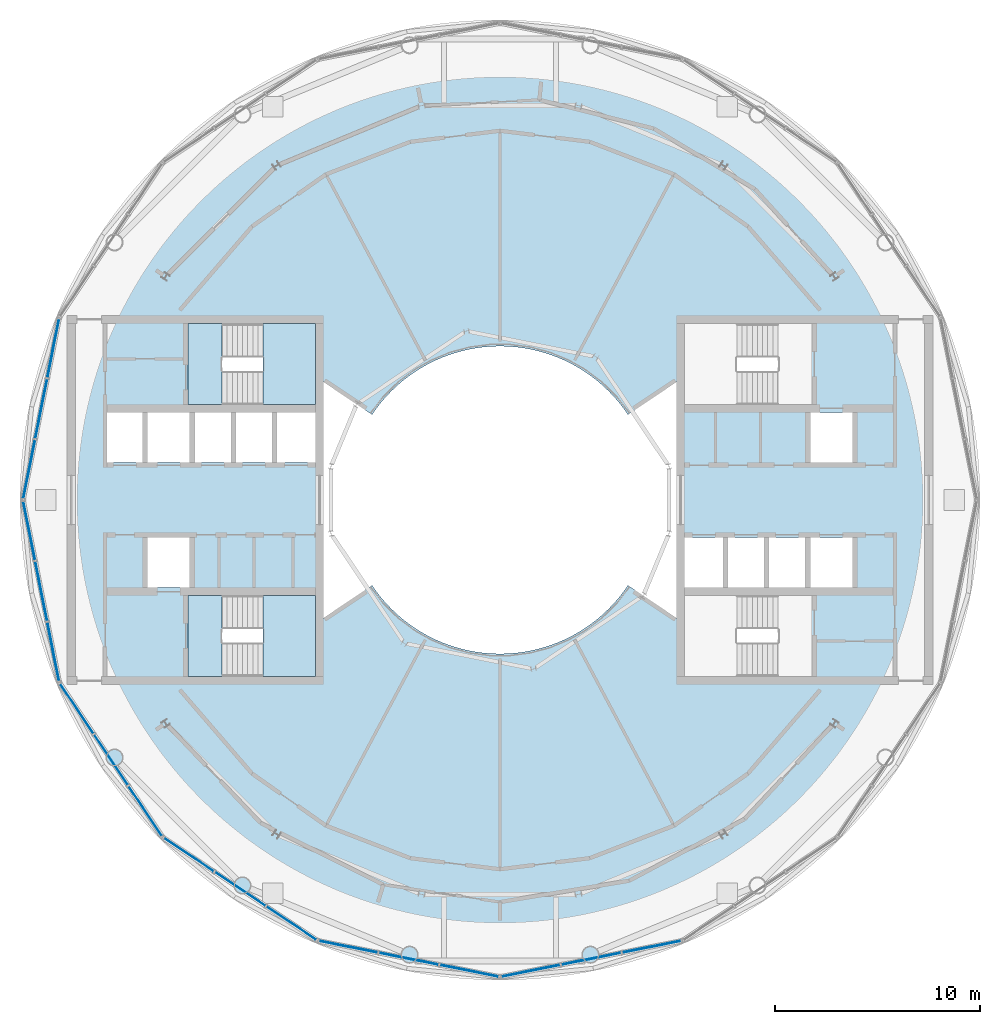
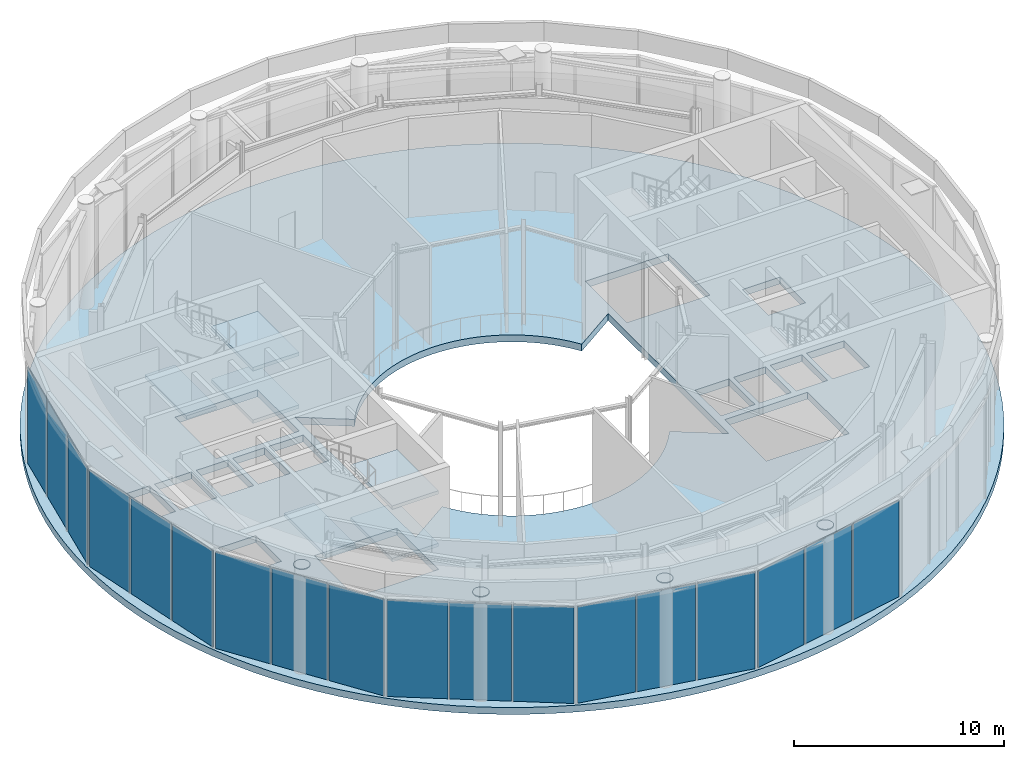
# One storey, part 9 of 20: 22 plates, 7 slabs, 8 elements without a shape of their own.
"""IFC4 building model written with IfcOpenShell, lengths in metres."""

from ifc_helpers import new_model, si_unit, direction, frame, origin, origin_2d, place, context, subcontext, project, spatial, polyline, rectangle, outline, extrude, material, layer, layer_set, type_object, element, aggregate, save


model = new_model("IFC4")

# Units and contexts
model_context = context("Model", 3, precision=1e-05, world=origin(), true_north=direction((0.0, 1.0)))
body_context = subcontext(model_context, "Body", "Model", "MODEL_VIEW")
ifc_project = project(units=[si_unit("LENGTHUNIT", "METRE"), si_unit("AREAUNIT", "SQUARE_METRE"), si_unit("VOLUMEUNIT", "CUBIC_METRE"), si_unit("PLANEANGLEUNIT", "RADIAN"), si_unit("MASSUNIT", "GRAM", prefix="KILO")], contexts=[model_context])

# Site, building, storey
site_placement = place(None, origin())
site = spatial("IfcSite", under=ifc_project, at=site_placement, CompositionType="ELEMENT")
building_placement = place(site_placement, origin())
building = spatial("IfcBuilding", under=site, at=building_placement, Name="Maasbend Ring Residences", CompositionType="ELEMENT")
storey_placement = place(building_placement, frame((0.0, 0.0, 255.39990234375)))
storey = spatial("IfcBuildingStorey", under=building, at=storey_placement, Name="L74", CompositionType="ELEMENT", Elevation=255.39990234375)

# Stair, slabs
ifc_material_1 = material(Name="Concrete C40/50", Category="concrete")
stair_type = type_object("IfcStairType", Name="CORE STAIR 36 RISERS", PredefinedType="HALF_TURN_STAIR", material=ifc_material_1)
stair_1_placement = place(storey_placement, origin())
stair_1 = element("IfcStair", 1, at=stair_1_placement, inside=storey, type_object=stair_type, Name="L74 Exit stair ST-W1", PredefinedType="HALF_TURN_STAIR")
ifc_material_2 = material(Name="Concrete C40/50", Category="concrete")
ifc_layer_1 = layer(ifc_material_2, 0.199951171875)
ifc_layer_set_1 = layer_set([ifc_layer_1], Name="Concrete C40/50")
slab_type_1 = type_object("IfcSlabType", Name="CORE STAIR LANDING 200", PredefinedType="LANDING", material=ifc_layer_set_1)
slab_1_placement = place(storey_placement, frame((0.0, 0.0, 1.3251953125)))
slab_1 = element("IfcSlab", 2, at=slab_1_placement, type_object=slab_type_1, Name="ST-W1 landing 1", PredefinedType="LANDING", context=body_context, shape_type="SweptSolid", body=[
    extrude(outline(polyline([(-11.550048828125, -8.60009765625), (-9.0, -8.60009765625), (-9.0, -4.64990234375), (-11.550048828125, -4.64990234375), (-11.550048828125, -8.60009765625)])), origin(), (0.0, 0.0, 1.0), 0.199951171875),
])
slab_2_placement = place(storey_placement, frame((0.0, 0.0, 2.85009765625)))
slab_2 = element("IfcSlab", 3, at=slab_2_placement, type_object=slab_type_1, Name="ST-W1 landing 2", PredefinedType="LANDING", context=body_context, shape_type="SweptSolid", body=[
    extrude(outline(polyline([(-15.199951171875, -8.60009765625), (-13.550048828125, -8.60009765625), (-13.550048828125, -4.64990234375), (-15.199951171875, -4.64990234375), (-15.199951171875, -8.60009765625)])), origin(), (0.0, 0.0, 1.0), 0.199951171875),
])
slab_3_placement = place(storey_placement, frame((0.0, 0.0, 4.375)))
slab_3 = element("IfcSlab", 4, at=slab_3_placement, type_object=slab_type_1, Name="ST-W1 landing 3", PredefinedType="LANDING", context=body_context, shape_type="SweptSolid", body=[
    extrude(outline(polyline([(-11.550048828125, -8.60009765625), (-9.0, -8.60009765625), (-9.0, -4.64990234375), (-11.550048828125, -4.64990234375), (-11.550048828125, -8.60009765625)])), origin(), (0.0, 0.0, 1.0), 0.2001953125),
])
aggregate(stair_1, [slab_1, slab_2, slab_3])

stair_2_placement = place(storey_placement, origin())
stair_2 = element("IfcStair", 5, at=stair_2_placement, inside=storey, type_object=stair_type, Name="L74 Exit stair ST-W2", PredefinedType="HALF_TURN_STAIR")
slab_4_placement = place(storey_placement, frame((0.0, 0.0, 1.3251953125)))
slab_4 = element("IfcSlab", 6, at=slab_4_placement, type_object=slab_type_1, Name="ST-W2 landing 1", PredefinedType="LANDING", context=body_context, shape_type="SweptSolid", body=[
    extrude(outline(polyline([(-11.550048828125, 4.64990234375), (-9.0, 4.64990234375), (-9.0, 8.60009765625), (-11.550048828125, 8.60009765625), (-11.550048828125, 4.64990234375)])), origin(), (0.0, 0.0, 1.0), 0.199951171875),
])
slab_5_placement = place(storey_placement, frame((0.0, 0.0, 2.85009765625)))
slab_5 = element("IfcSlab", 7, at=slab_5_placement, type_object=slab_type_1, Name="ST-W2 landing 2", PredefinedType="LANDING", context=body_context, shape_type="SweptSolid", body=[
    extrude(outline(polyline([(-15.199951171875, 4.64990234375), (-13.550048828125, 4.64990234375), (-13.550048828125, 8.60009765625), (-15.199951171875, 8.60009765625), (-15.199951171875, 4.64990234375)])), origin(), (0.0, 0.0, 1.0), 0.199951171875),
])
slab_6_placement = place(storey_placement, frame((0.0, 0.0, 4.375)))
slab_6 = element("IfcSlab", 8, at=slab_6_placement, type_object=slab_type_1, Name="ST-W2 landing 3", PredefinedType="LANDING", context=body_context, shape_type="SweptSolid", body=[
    extrude(outline(polyline([(-11.550048828125, 4.64990234375), (-9.0, 4.64990234375), (-9.0, 8.60009765625), (-11.550048828125, 8.60009765625), (-11.550048828125, 4.64990234375)])), origin(), (0.0, 0.0, 1.0), 0.2001953125),
])
aggregate(stair_2, [slab_4, slab_5, slab_6])

# Curtain wall, plates
ifc_material_3 = material(Name="Aluminium and clear glass", Category="aluminium")
ifc_layer_2 = layer(ifc_material_3, 0.219970703125)
ifc_layer_set_2 = layer_set([ifc_layer_2], Name="CW-OB")
curtain_wall_type = type_object("IfcCurtainWallType", Name="CW-OB", PredefinedType="NOTDEFINED", material=ifc_layer_set_2)
curtain_wall_1_placement = place(storey_placement, origin())
curtain_wall_1 = element("IfcCurtainWall", 9, at=curtain_wall_1_placement, inside=storey, type_object=curtain_wall_type, Name="Observation deck curtain wall 08", PredefinedType="NOTDEFINED")
ifc_material_4 = material(Name="Glass clear laminated", Category="glass")
ifc_layer_3 = layer(ifc_material_4, 0.0400390625)
ifc_layer_set_3 = layer_set([ifc_layer_3], Name="CWP-OB")
plate_type_1 = type_object("IfcPlateType", Name="CWP-OB", PredefinedType="CURTAIN_PANEL", material=ifc_layer_set_3)
plate_1_placement = place(storey_placement, frame((-21.779052734375, 7.394775390625, 0.0), z_axis=(0.0, 0.0, 1.0), x_axis=(-0.195090322016, -0.980785280403, 0.0)))
plate_1 = element("IfcPlate", 10, at=plate_1_placement, type_object=plate_type_1, Name="Glass panel observation deck", PredefinedType="CURTAIN_PANEL", context=body_context, shape_type="SweptSolid", body=[
    extrude(rectangle(XDim=2.90380859375, YDim=0.0400390625, at=origin_2d()), origin(), (0.0, 0.0, 1.0), 5.610107421875),
])
plate_2_placement = place(storey_placement, frame((-22.364990234375, 4.44873046875, 0.0), z_axis=(0.0, 0.0, 1.0), x_axis=(-0.195090322016, -0.980785280403, 0.0)))
plate_2 = element("IfcPlate", 11, at=plate_2_placement, type_object=plate_type_1, Name="Glass panel observation deck", PredefinedType="CURTAIN_PANEL", context=body_context, shape_type="SweptSolid", body=[
    extrude(rectangle(XDim=2.94384765625, YDim=0.0400390625, at=origin_2d()), origin(), (0.0, 0.0, 1.0), 5.610107421875),
])
plate_3_placement = place(storey_placement, frame((-22.951171875, 1.50244140625, 0.0), z_axis=(0.0, 0.0, 1.0), x_axis=(-0.195090322016, -0.980785280403, 0.0)))
plate_3 = element("IfcPlate", 12, at=plate_3_placement, type_object=plate_type_1, Name="Glass panel observation deck", PredefinedType="CURTAIN_PANEL", context=body_context, shape_type="SweptSolid", body=[
    extrude(rectangle(XDim=2.90380859375, YDim=0.0400390625, at=origin_2d()), origin(), (0.0, 0.0, 1.0), 5.610107421875),
])
aggregate(curtain_wall_1, [plate_1, plate_2, plate_3])

curtain_wall_2_placement = place(storey_placement, origin())
curtain_wall_2 = element("IfcCurtainWall", 13, at=curtain_wall_2_placement, inside=storey, type_object=curtain_wall_type, Name="Observation deck curtain wall 09", PredefinedType="NOTDEFINED")
plate_4_placement = place(storey_placement, frame((-22.951171875, -1.50244140625, 0.0), z_axis=(0.0, 0.0, 1.0), x_axis=(0.195090322016, -0.980785280403, 0.0)))
plate_4 = element("IfcPlate", 14, at=plate_4_placement, type_object=plate_type_1, Name="Glass panel observation deck", PredefinedType="CURTAIN_PANEL", context=body_context, shape_type="SweptSolid", body=[
    extrude(rectangle(XDim=2.90380859375, YDim=0.0400390625, at=origin_2d()), origin(), (0.0, 0.0, 1.0), 5.610107421875),
])
plate_5_placement = place(storey_placement, frame((-22.364990234375, -4.44873046875, 0.0), z_axis=(0.0, 0.0, 1.0), x_axis=(0.195090322016, -0.980785280403, 0.0)))
plate_5 = element("IfcPlate", 15, at=plate_5_placement, type_object=plate_type_1, Name="Glass panel observation deck", PredefinedType="CURTAIN_PANEL", context=body_context, shape_type="SweptSolid", body=[
    extrude(rectangle(XDim=2.94384765625, YDim=0.0400390625, at=origin_2d()), origin(), (0.0, 0.0, 1.0), 5.610107421875),
])
plate_6_placement = place(storey_placement, frame((-21.779052734375, -7.394775390625, 0.0), z_axis=(0.0, 0.0, 1.0), x_axis=(0.195090322016, -0.980785280403, 0.0)))
plate_6 = element("IfcPlate", 16, at=plate_6_placement, type_object=plate_type_1, Name="Glass panel observation deck", PredefinedType="CURTAIN_PANEL", context=body_context, shape_type="SweptSolid", body=[
    extrude(rectangle(XDim=2.90380859375, YDim=0.0400390625, at=origin_2d()), origin(), (0.0, 0.0, 1.0), 5.610107421875),
])
aggregate(curtain_wall_2, [plate_4, plate_5, plate_6])

curtain_wall_3_placement = place(storey_placement, origin())
curtain_wall_3 = element("IfcCurtainWall", 17, at=curtain_wall_3_placement, inside=storey, type_object=curtain_wall_type, Name="Observation deck curtain wall 10", PredefinedType="NOTDEFINED")
plate_7_placement = place(storey_placement, frame((-20.629150390625, -10.171142578125, 0.0), z_axis=(0.0, 0.0, 1.0), x_axis=(0.55557023302, -0.831469612303, 0.0)))
plate_7 = element("IfcPlate", 18, at=plate_7_placement, type_object=plate_type_1, Name="Glass panel observation deck", PredefinedType="CURTAIN_PANEL", context=body_context, shape_type="SweptSolid", body=[
    extrude(rectangle(XDim=2.90380859375, YDim=0.0400390625, at=origin_2d()), origin(), (0.0, 0.0, 1.0), 5.610107421875),
])
plate_8_placement = place(storey_placement, frame((-18.960205078125, -12.668701171875, 0.0), z_axis=(0.0, 0.0, 1.0), x_axis=(0.55557023302, -0.831469612303, 0.0)))
plate_8 = element("IfcPlate", 19, at=plate_8_placement, type_object=plate_type_1, Name="Glass panel observation deck", PredefinedType="CURTAIN_PANEL", context=body_context, shape_type="SweptSolid", body=[
    extrude(rectangle(XDim=2.94384765625, YDim=0.0400390625, at=origin_2d()), origin(), (0.0, 0.0, 1.0), 5.610107421875),
])
plate_9_placement = place(storey_placement, frame((-17.291259765625, -15.16650390625, 0.0), z_axis=(0.0, 0.0, 1.0), x_axis=(0.55557023302, -0.831469612303, 0.0)))
plate_9 = element("IfcPlate", 20, at=plate_9_placement, type_object=plate_type_1, Name="Glass panel observation deck", PredefinedType="CURTAIN_PANEL", context=body_context, shape_type="SweptSolid", body=[
    extrude(rectangle(XDim=2.90380859375, YDim=0.0400390625, at=origin_2d()), origin(), (0.0, 0.0, 1.0), 5.610107421875),
])
aggregate(curtain_wall_3, [plate_7, plate_8, plate_9])

curtain_wall_4_placement = place(storey_placement, origin())
curtain_wall_4 = element("IfcCurtainWall", 21, at=curtain_wall_4_placement, inside=storey, type_object=curtain_wall_type, Name="Observation deck curtain wall 11", PredefinedType="NOTDEFINED")
plate_10_placement = place(storey_placement, frame((-15.16650390625, -17.291259765625, 0.0), z_axis=(0.0, 0.0, 1.0), x_axis=(0.831469612303, -0.55557023302, 0.0)))
plate_10 = element("IfcPlate", 22, at=plate_10_placement, type_object=plate_type_1, Name="Glass panel observation deck", PredefinedType="CURTAIN_PANEL", context=body_context, shape_type="SweptSolid", body=[
    extrude(rectangle(XDim=2.90380859375, YDim=0.0400390625, at=origin_2d()), origin(), (0.0, 0.0, 1.0), 5.610107421875),
])
plate_11_placement = place(storey_placement, frame((-12.668701171875, -18.960205078125, 0.0), z_axis=(0.0, 0.0, 1.0), x_axis=(0.831469612303, -0.55557023302, 0.0)))
plate_11 = element("IfcPlate", 23, at=plate_11_placement, type_object=plate_type_1, Name="Glass panel observation deck", PredefinedType="CURTAIN_PANEL", context=body_context, shape_type="SweptSolid", body=[
    extrude(rectangle(XDim=2.94384765625, YDim=0.0400390625, at=origin_2d()), origin(), (0.0, 0.0, 1.0), 5.610107421875),
])
plate_12_placement = place(storey_placement, frame((-10.171142578125, -20.629150390625, 0.0), z_axis=(0.0, 0.0, 1.0), x_axis=(0.831469612303, -0.55557023302, 0.0)))
plate_12 = element("IfcPlate", 24, at=plate_12_placement, type_object=plate_type_1, Name="Glass panel observation deck", PredefinedType="CURTAIN_PANEL", context=body_context, shape_type="SweptSolid", body=[
    extrude(rectangle(XDim=2.90380859375, YDim=0.0400390625, at=origin_2d()), origin(), (0.0, 0.0, 1.0), 5.610107421875),
])
aggregate(curtain_wall_4, [plate_10, plate_11, plate_12])

curtain_wall_5_placement = place(storey_placement, origin())
curtain_wall_5 = element("IfcCurtainWall", 25, at=curtain_wall_5_placement, inside=storey, type_object=curtain_wall_type, Name="Observation deck curtain wall 12", PredefinedType="NOTDEFINED")
plate_13_placement = place(storey_placement, frame((-7.394775390625, -21.779052734375, 0.0), z_axis=(0.0, 0.0, 1.0), x_axis=(0.980785280403, -0.195090322016, 0.0)))
plate_13 = element("IfcPlate", 26, at=plate_13_placement, type_object=plate_type_1, Name="Glass panel observation deck", PredefinedType="CURTAIN_PANEL", context=body_context, shape_type="SweptSolid", body=[
    extrude(rectangle(XDim=2.90380859375, YDim=0.0400390625, at=origin_2d()), origin(), (0.0, 0.0, 1.0), 5.610107421875),
])
plate_14_placement = place(storey_placement, frame((-4.44873046875, -22.364990234375, 0.0), z_axis=(0.0, 0.0, 1.0), x_axis=(0.980785280403, -0.195090322016, 0.0)))
plate_14 = element("IfcPlate", 27, at=plate_14_placement, type_object=plate_type_1, Name="Glass panel observation deck", PredefinedType="CURTAIN_PANEL", context=body_context, shape_type="SweptSolid", body=[
    extrude(rectangle(XDim=2.94384765625, YDim=0.0400390625, at=origin_2d()), origin(), (0.0, 0.0, 1.0), 5.610107421875),
])
plate_15_placement = place(storey_placement, frame((-1.50244140625, -22.951171875, 0.0), z_axis=(0.0, 0.0, 1.0), x_axis=(0.980785280403, -0.195090322016, 0.0)))
plate_15 = element("IfcPlate", 28, at=plate_15_placement, type_object=plate_type_1, Name="Glass panel observation deck", PredefinedType="CURTAIN_PANEL", context=body_context, shape_type="SweptSolid", body=[
    extrude(rectangle(XDim=2.90380859375, YDim=0.0400390625, at=origin_2d()), origin(), (0.0, 0.0, 1.0), 5.610107421875),
])
aggregate(curtain_wall_5, [plate_13, plate_14, plate_15])

curtain_wall_6_placement = place(storey_placement, origin())
curtain_wall_6 = element("IfcCurtainWall", 29, at=curtain_wall_6_placement, inside=storey, type_object=curtain_wall_type, Name="Observation deck curtain wall 13", PredefinedType="NOTDEFINED")
plate_16_placement = place(storey_placement, frame((1.50244140625, -22.951171875, 0.0), z_axis=(0.0, 0.0, 1.0), x_axis=(0.980785280403, 0.195090322016, 0.0)))
plate_16 = element("IfcPlate", 30, at=plate_16_placement, type_object=plate_type_1, Name="Glass panel observation deck", PredefinedType="CURTAIN_PANEL", context=body_context, shape_type="SweptSolid", body=[
    extrude(rectangle(XDim=2.90380859375, YDim=0.0400390625, at=origin_2d()), origin(), (0.0, 0.0, 1.0), 5.610107421875),
])
plate_17_placement = place(storey_placement, frame((4.44873046875, -22.364990234375, 0.0), z_axis=(0.0, 0.0, 1.0), x_axis=(0.980785280403, 0.195090322016, 0.0)))
plate_17 = element("IfcPlate", 31, at=plate_17_placement, type_object=plate_type_1, Name="Glass panel observation deck", PredefinedType="CURTAIN_PANEL", context=body_context, shape_type="SweptSolid", body=[
    extrude(rectangle(XDim=2.94384765625, YDim=0.0400390625, at=origin_2d()), origin(), (0.0, 0.0, 1.0), 5.610107421875),
])
plate_18_placement = place(storey_placement, frame((7.394775390625, -21.779052734375, 0.0), z_axis=(0.0, 0.0, 1.0), x_axis=(0.980785280403, 0.195090322016, 0.0)))
plate_18 = element("IfcPlate", 32, at=plate_18_placement, type_object=plate_type_1, Name="Glass panel observation deck", PredefinedType="CURTAIN_PANEL", context=body_context, shape_type="SweptSolid", body=[
    extrude(rectangle(XDim=2.90380859375, YDim=0.0400390625, at=origin_2d()), origin(), (0.0, 0.0, 1.0), 5.610107421875),
])
aggregate(curtain_wall_6, [plate_16, plate_17, plate_18])

# Plates
ifc_material_5 = material(Name="Steel S460NH", Category="steel")
ifc_layer_4 = layer(ifc_material_5, 0.035888671875)
ifc_layer_set_4 = layer_set([ifc_layer_4], Name="Steel S460NH")
plate_type_2 = type_object("IfcPlateType", Name="End plate CHS 813x30 36", PredefinedType="USERDEFINED", material=ifc_layer_set_4)
plate_19_placement = place(storey_placement, frame((0.0, 0.0, 6.10009765625)))
element("IfcPlate", 33, at=plate_19_placement, inside=storey, type_object=plate_type_2, Name="Column head plate R10", ObjectType="END PLATE", PredefinedType="USERDEFINED", context=body_context, shape_type="SweptSolid", body=[
    extrude(outline(polyline([(-18.394775390625, -12.555908203125), (-18.408203125, -12.453369140625), (-18.44775390625, -12.357666015625), (-18.5107421875, -12.275390625), (-18.593017578125, -12.21240234375), (-18.688720703125, -12.1728515625), (-18.791259765625, -12.159423828125), (-18.893798828125, -12.1728515625), (-18.989501953125, -12.21240234375), (-19.071533203125, -12.275390625), (-19.134521484375, -12.357666015625), (-19.17431640625, -12.453369140625), (-19.187744140625, -12.555908203125), (-19.17431640625, -12.658447265625), (-19.134521484375, -12.754150390625), (-19.071533203125, -12.836181640625), (-18.989501953125, -12.8994140625), (-18.893798828125, -12.93896484375), (-18.791259765625, -12.952392578125), (-18.688720703125, -12.93896484375), (-18.593017578125, -12.8994140625), (-18.5107421875, -12.836181640625), (-18.44775390625, -12.754150390625), (-18.408203125, -12.658447265625), (-18.394775390625, -12.555908203125)])), origin(), (0.0, 0.0, 1.0), 0.035888671875),
])
plate_20_placement = place(storey_placement, frame((0.0, 0.0, 6.10009765625)))
element("IfcPlate", 34, at=plate_20_placement, inside=storey, type_object=plate_type_2, Name="Column head plate R11", ObjectType="END PLATE", PredefinedType="USERDEFINED", context=body_context, shape_type="SweptSolid", body=[
    extrude(outline(polyline([(-12.159423828125, -18.791259765625), (-12.1728515625, -18.688720703125), (-12.21240234375, -18.593017578125), (-12.275390625, -18.5107421875), (-12.357666015625, -18.44775390625), (-12.453369140625, -18.408203125), (-12.555908203125, -18.394775390625), (-12.658447265625, -18.408203125), (-12.754150390625, -18.44775390625), (-12.836181640625, -18.5107421875), (-12.8994140625, -18.593017578125), (-12.93896484375, -18.688720703125), (-12.952392578125, -18.791259765625), (-12.93896484375, -18.893798828125), (-12.8994140625, -18.989501953125), (-12.836181640625, -19.071533203125), (-12.754150390625, -19.134521484375), (-12.658447265625, -19.17431640625), (-12.555908203125, -19.187744140625), (-12.453369140625, -19.17431640625), (-12.357666015625, -19.134521484375), (-12.275390625, -19.071533203125), (-12.21240234375, -18.989501953125), (-12.1728515625, -18.893798828125), (-12.159423828125, -18.791259765625)])), origin(), (0.0, 0.0, 1.0), 0.035888671875),
])
plate_21_placement = place(storey_placement, frame((0.0, 0.0, 6.10009765625)))
element("IfcPlate", 35, at=plate_21_placement, inside=storey, type_object=plate_type_2, Name="Column head plate R12", ObjectType="END PLATE", PredefinedType="USERDEFINED", context=body_context, shape_type="SweptSolid", body=[
    extrude(outline(polyline([(-4.012451171875, -22.165771484375), (-4.02587890625, -22.06298828125), (-4.065673828125, -21.96728515625), (-4.128662109375, -21.88525390625), (-4.210693359375, -21.822265625), (-4.306396484375, -21.78271484375), (-4.408935546875, -21.769287109375), (-4.51171875, -21.78271484375), (-4.607177734375, -21.822265625), (-4.689453125, -21.88525390625), (-4.75244140625, -21.96728515625), (-4.7919921875, -22.06298828125), (-4.805419921875, -22.165771484375), (-4.7919921875, -22.268310546875), (-4.75244140625, -22.364013671875), (-4.689453125, -22.446044921875), (-4.607177734375, -22.509033203125), (-4.51171875, -22.548583984375), (-4.408935546875, -22.562255859375), (-4.306396484375, -22.548583984375), (-4.210693359375, -22.509033203125), (-4.128662109375, -22.446044921875), (-4.065673828125, -22.364013671875), (-4.02587890625, -22.268310546875), (-4.012451171875, -22.165771484375)])), origin(), (0.0, 0.0, 1.0), 0.035888671875),
])
plate_22_placement = place(storey_placement, frame((0.0, 0.0, 6.10009765625)))
element("IfcPlate", 36, at=plate_22_placement, inside=storey, type_object=plate_type_2, Name="Column head plate R13", ObjectType="END PLATE", PredefinedType="USERDEFINED", context=body_context, shape_type="SweptSolid", body=[
    extrude(outline(polyline([(4.805419921875, -22.165771484375), (4.7919921875, -22.06298828125), (4.75244140625, -21.96728515625), (4.689453125, -21.88525390625), (4.607177734375, -21.822265625), (4.51171875, -21.78271484375), (4.408935546875, -21.769287109375), (4.306396484375, -21.78271484375), (4.210693359375, -21.822265625), (4.128662109375, -21.88525390625), (4.065673828125, -21.96728515625), (4.02587890625, -22.06298828125), (4.012451171875, -22.165771484375), (4.02587890625, -22.268310546875), (4.065673828125, -22.364013671875), (4.128662109375, -22.446044921875), (4.210693359375, -22.509033203125), (4.306396484375, -22.548583984375), (4.408935546875, -22.562255859375), (4.51171875, -22.548583984375), (4.607177734375, -22.509033203125), (4.689453125, -22.446044921875), (4.75244140625, -22.364013671875), (4.7919921875, -22.268310546875), (4.805419921875, -22.165771484375)])), origin(), (0.0, 0.0, 1.0), 0.035888671875),
])

# Slab
ifc_material_6 = material(Name="Concrete C40/50", Category="concrete")
ifc_layer_5 = layer(ifc_material_6, 0.39990234375)
ifc_layer_set_5 = layer_set([ifc_layer_5], Name="Concrete C40/50")
slab_type_2 = type_object("IfcSlabType", Name="Post-tensioned flat plate 400", PredefinedType="FLOOR", material=ifc_layer_set_5)
slab_7_placement = place(storey_placement, frame((0.0, 0.0, -0.39990234375)))
element("IfcSlab", 37, at=slab_7_placement, inside=storey, type_object=slab_type_2, Name="Floor slab L74", PredefinedType="FLOOR", context=body_context, shape_type="SweptSolid", body=[
    extrude(outline(polyline([(22.69873046875, -5.685791015625), (22.950439453125, -4.565185546875), (23.146728515625, -3.43359375), (23.287353515625, -2.293701171875), (23.371826171875, -1.148193359375), (23.39990234375, 0.0), (23.371826171875, 1.148193359375), (23.287353515625, 2.293701171875), (23.146728515625, 3.43359375), (22.950439453125, 4.565185546875), (22.69873046875, 5.685791015625), (22.392333984375, 6.792724609375), (22.031982421875, 7.88330078125), (21.618896484375, 8.954833984375), (21.1533203125, 10.0048828125), (20.636962890625, 11.03076171875), (20.07080078125, 12.030029296875), (19.456298828125, 13.000244140625), (18.795166015625, 13.939453125), (18.08837890625, 14.8447265625), (17.33837890625, 15.714599609375), (16.54638671875, 16.54638671875), (15.714599609375, 17.33837890625), (14.8447265625, 18.08837890625), (13.939453125, 18.795166015625), (13.000244140625, 19.456298828125), (12.030029296875, 20.07080078125), (11.03076171875, 20.636962890625), (10.0048828125, 21.1533203125), (8.954833984375, 21.618896484375), (7.88330078125, 22.031982421875), (6.792724609375, 22.392333984375), (5.685791015625, 22.69873046875), (4.565185546875, 22.950439453125), (3.43359375, 23.146728515625), (2.293701171875, 23.287353515625), (1.148193359375, 23.371826171875), (0.0, 23.39990234375), (-1.148193359375, 23.371826171875), (-2.293701171875, 23.287353515625), (-3.43359375, 23.146728515625), (-4.565185546875, 22.950439453125), (-5.685791015625, 22.69873046875), (-6.792724609375, 22.392333984375), (-7.88330078125, 22.031982421875), (-8.954833984375, 21.618896484375), (-10.0048828125, 21.1533203125), (-11.03076171875, 20.636962890625), (-12.030029296875, 20.07080078125), (-13.000244140625, 19.456298828125), (-13.939453125, 18.795166015625), (-14.8447265625, 18.08837890625), (-15.714599609375, 17.33837890625), (-16.54638671875, 16.54638671875), (-17.33837890625, 15.714599609375), (-18.08837890625, 14.8447265625), (-18.795166015625, 13.939453125), (-19.456298828125, 13.000244140625), (-20.07080078125, 12.030029296875), (-20.636962890625, 11.03076171875), (-21.1533203125, 10.0048828125), (-21.618896484375, 8.954833984375), (-22.031982421875, 7.88330078125), (-22.392333984375, 6.792724609375), (-22.69873046875, 5.685791015625), (-22.950439453125, 4.565185546875), (-23.146728515625, 3.43359375), (-23.287353515625, 2.293701171875), (-23.371826171875, 1.148193359375), (-23.39990234375, 0.0), (-23.371826171875, -1.148193359375), (-23.287353515625, -2.293701171875), (-23.146728515625, -3.43359375), (-22.950439453125, -4.565185546875), (-22.69873046875, -5.685791015625), (-22.392333984375, -6.792724609375), (-22.031982421875, -7.88330078125), (-21.618896484375, -8.954833984375), (-21.1533203125, -10.0048828125), (-20.636962890625, -11.03076171875), (-20.07080078125, -12.030029296875), (-19.456298828125, -13.000244140625), (-18.795166015625, -13.939453125), (-18.08837890625, -14.8447265625), (-17.33837890625, -15.714599609375), (-16.54638671875, -16.54638671875), (-15.714599609375, -17.33837890625), (-14.8447265625, -18.08837890625), (-13.939453125, -18.795166015625), (-13.000244140625, -19.456298828125), (-12.030029296875, -20.07080078125), (-11.03076171875, -20.636962890625), (-10.0048828125, -21.1533203125), (-8.954833984375, -21.618896484375), (-7.88330078125, -22.031982421875), (-6.792724609375, -22.392333984375), (-5.685791015625, -22.69873046875), (-4.565185546875, -22.950439453125), (-3.43359375, -23.146728515625), (-2.293701171875, -23.287353515625), (-1.148193359375, -23.371826171875), (0.0, -23.39990234375), (1.148193359375, -23.371826171875), (2.293701171875, -23.287353515625), (3.43359375, -23.146728515625), (4.565185546875, -22.950439453125), (5.685791015625, -22.69873046875), (6.792724609375, -22.392333984375), (7.88330078125, -22.031982421875), (8.954833984375, -21.618896484375), (10.0048828125, -21.1533203125), (11.03076171875, -20.636962890625), (12.030029296875, -20.07080078125), (13.000244140625, -19.456298828125), (13.939453125, -18.795166015625), (14.8447265625, -18.08837890625), (15.714599609375, -17.33837890625), (16.54638671875, -16.54638671875), (17.33837890625, -15.714599609375), (18.08837890625, -14.8447265625), (18.795166015625, -13.939453125), (19.456298828125, -13.000244140625), (20.07080078125, -12.030029296875), (20.636962890625, -11.03076171875), (21.1533203125, -10.0048828125), (21.618896484375, -8.954833984375), (22.031982421875, -7.88330078125), (22.392333984375, -6.792724609375), (22.69873046875, -5.685791015625)]), holes=[polyline([(15.125, 1.824951171875), (15.125, 4.27490234375), (17.175048828125, 4.27490234375), (17.175048828125, 1.824951171875), (15.125, 1.824951171875)]), polyline([(15.125, -4.27490234375), (15.125, -1.824951171875), (17.175048828125, -1.824951171875), (17.175048828125, -4.27490234375), (15.125, -4.27490234375)]), polyline([(13.125, -4.27490234375), (13.125, -1.824951171875), (14.875, -1.824951171875), (14.875, -4.27490234375), (13.125, -4.27490234375)]), polyline([(13.550048828125, 8.60009765625), (13.550048828125, 4.64990234375), (9.0, 4.64990234375), (9.0, 8.60009765625), (13.550048828125, 8.60009765625)]), polyline([(13.550048828125, -4.64990234375), (13.550048828125, -8.60009765625), (9.0, -8.60009765625), (9.0, -4.64990234375), (13.550048828125, -4.64990234375)]), polyline([(11.125, -4.27490234375), (11.125, -1.824951171875), (12.875, -1.824951171875), (12.875, -4.27490234375), (11.125, -4.27490234375)]), polyline([(9.0, -4.27490234375), (9.0, -1.824951171875), (10.875, -1.824951171875), (10.875, -4.27490234375), (9.0, -4.27490234375)]), polyline([(6.024169921875, 4.4677734375), (6.236083984375, 4.166748046875), (8.60009765625, 5.746337890625), (8.60009765625, -5.746337890625), (6.236083984375, -4.166748046875), (6.024169921875, -4.4677734375), (5.797607421875, -4.7578125), (5.55712890625, -5.03662109375), (5.30322265625, -5.30322265625), (5.03662109375, -5.55712890625), (4.7578125, -5.797607421875), (4.4677734375, -6.024169921875), (4.166748046875, -6.236083984375), (3.855712890625, -6.43310546875), (3.535400390625, -6.614501953125), (3.206787109375, -6.77978515625), (2.8701171875, -6.92919921875), (2.526611328125, -7.0615234375), (2.177001953125, -7.177001953125), (1.822509765625, -7.275146484375), (1.463134765625, -7.35595703125), (1.1005859375, -7.418701171875), (0.735107421875, -7.4638671875), (0.367919921875, -7.490966796875), (0.0, -7.5), (-0.367919921875, -7.490966796875), (-0.735107421875, -7.4638671875), (-1.1005859375, -7.418701171875), (-1.463134765625, -7.35595703125), (-1.822509765625, -7.275146484375), (-2.177001953125, -7.177001953125), (-2.526611328125, -7.0615234375), (-2.8701171875, -6.92919921875), (-3.206787109375, -6.77978515625), (-3.535400390625, -6.614501953125), (-3.855712890625, -6.43310546875), (-4.166748046875, -6.236083984375), (-4.4677734375, -6.024169921875), (-4.7578125, -5.797607421875), (-5.03662109375, -5.55712890625), (-5.30322265625, -5.30322265625), (-5.55712890625, -5.03662109375), (-5.797607421875, -4.7578125), (-6.024169921875, -4.4677734375), (-6.236083984375, -4.166748046875), (-8.60009765625, -5.746337890625), (-8.60009765625, 5.746337890625), (-6.236083984375, 4.166748046875), (-6.024169921875, 4.4677734375), (-5.797607421875, 4.7578125), (-5.55712890625, 5.03662109375), (-5.30322265625, 5.30322265625), (-5.03662109375, 5.55712890625), (-4.7578125, 5.797607421875), (-4.4677734375, 6.024169921875), (-4.166748046875, 6.236083984375), (-3.855712890625, 6.43310546875), (-3.535400390625, 6.614501953125), (-3.206787109375, 6.77978515625), (-2.8701171875, 6.92919921875), (-2.526611328125, 7.0615234375), (-2.177001953125, 7.177001953125), (-1.822509765625, 7.275146484375), (-1.463134765625, 7.35595703125), (-1.1005859375, 7.418701171875), (-0.735107421875, 7.4638671875), (-0.367919921875, 7.490966796875), (0.0, 7.5), (0.367919921875, 7.490966796875), (0.735107421875, 7.4638671875), (1.1005859375, 7.418701171875), (1.463134765625, 7.35595703125), (1.822509765625, 7.275146484375), (2.177001953125, 7.177001953125), (2.526611328125, 7.0615234375), (2.8701171875, 6.92919921875), (3.206787109375, 6.77978515625), (3.535400390625, 6.614501953125), (3.855712890625, 6.43310546875), (4.166748046875, 6.236083984375), (4.4677734375, 6.024169921875), (4.7578125, 5.797607421875), (5.03662109375, 5.55712890625), (5.30322265625, 5.30322265625), (5.55712890625, 5.03662109375), (5.797607421875, 4.7578125), (6.024169921875, 4.4677734375)]), polyline([(-13.550048828125, 4.64990234375), (-13.550048828125, 8.60009765625), (-9.0, 8.60009765625), (-9.0, 4.64990234375), (-13.550048828125, 4.64990234375)]), polyline([(-9.0, -8.60009765625), (-13.550048828125, -8.60009765625), (-13.550048828125, -4.64990234375), (-9.0, -4.64990234375), (-9.0, -8.60009765625)]), polyline([(-9.0, 4.27490234375), (-9.0, 1.824951171875), (-10.875, 1.824951171875), (-10.875, 4.27490234375), (-9.0, 4.27490234375)]), polyline([(-11.125, 4.27490234375), (-11.125, 1.824951171875), (-12.875, 1.824951171875), (-12.875, 4.27490234375), (-11.125, 4.27490234375)]), polyline([(-13.125, 4.27490234375), (-13.125, 1.824951171875), (-14.875, 1.824951171875), (-14.875, 4.27490234375), (-13.125, 4.27490234375)]), polyline([(-15.125, 4.27490234375), (-15.125, 1.824951171875), (-17.175048828125, 1.824951171875), (-17.175048828125, 4.27490234375), (-15.125, 4.27490234375)]), polyline([(-15.125, -1.824951171875), (-15.125, -4.27490234375), (-17.175048828125, -4.27490234375), (-17.175048828125, -1.824951171875), (-15.125, -1.824951171875)]), polyline([(-17.425048828125, 4.27490234375), (-17.425048828125, 1.824951171875), (-19.14990234375, 1.824951171875), (-19.14990234375, 4.27490234375), (-17.425048828125, 4.27490234375)])]), origin(), (0.0, 0.0, 1.0), 0.39990234375),
])

save(model, "model.ifc")
